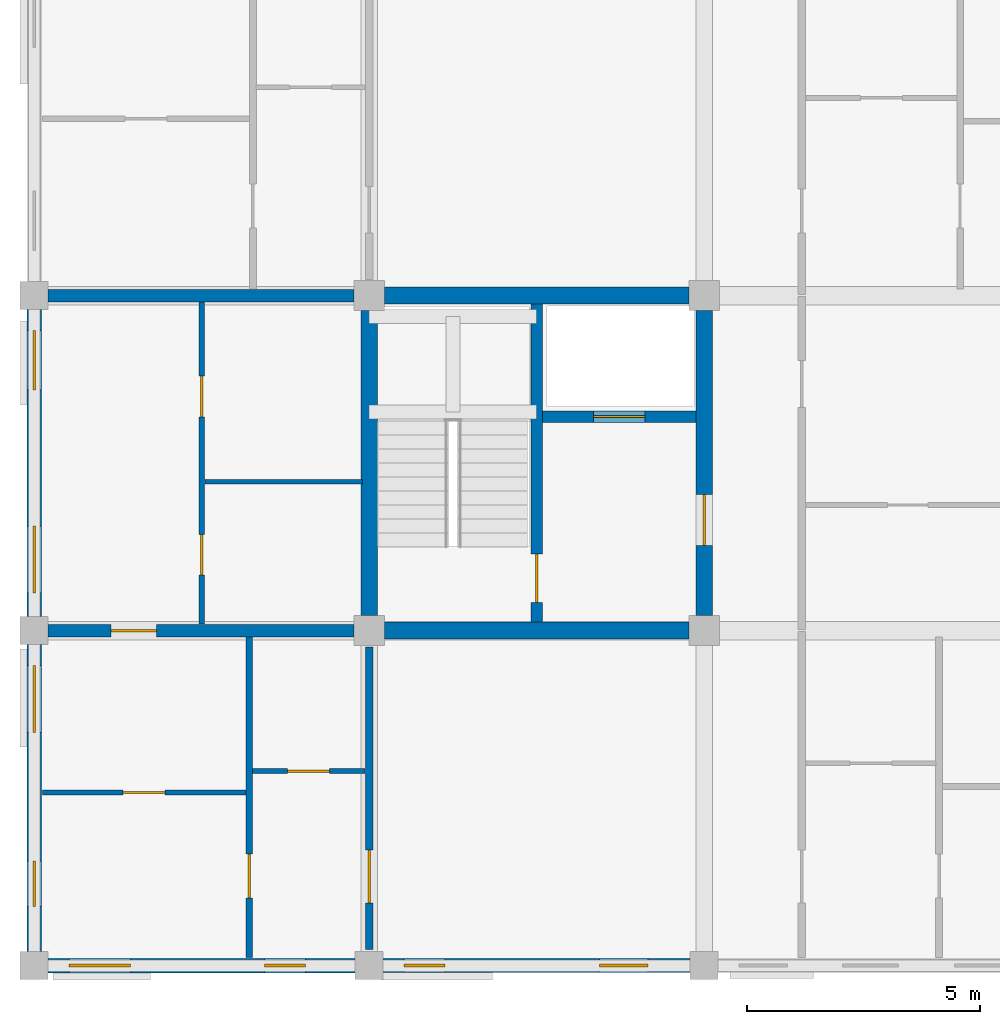
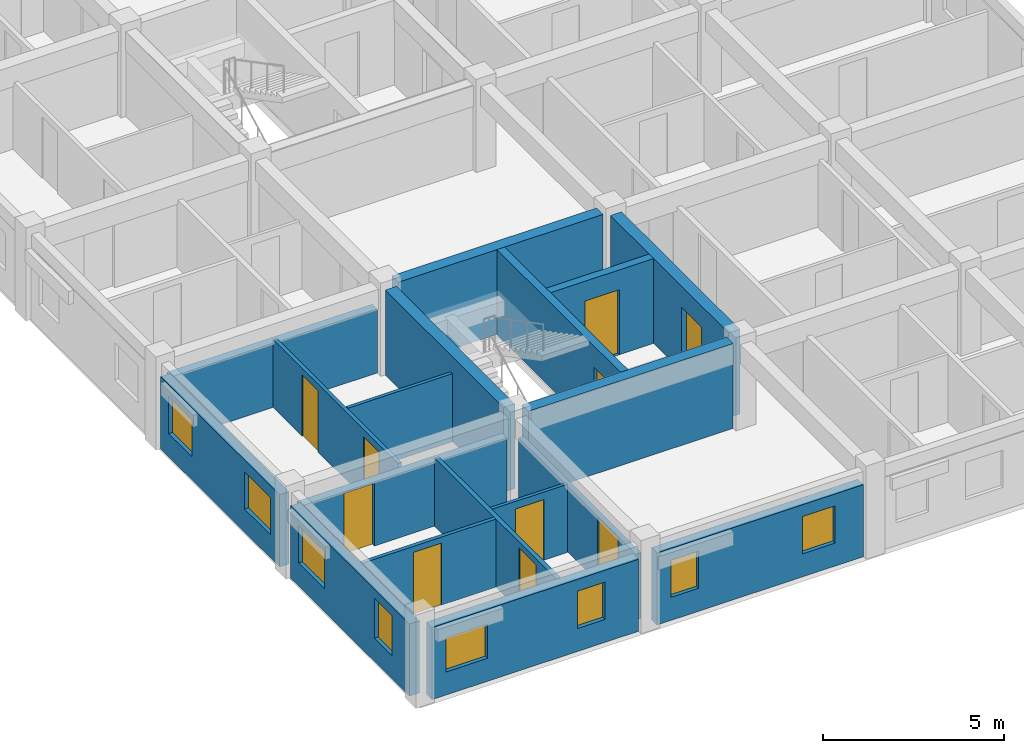
# One storey, part 13 of 50: 18 walls, 10 doors, 8 windows, 18 openings.
"""IFC4 building model written with IfcOpenShell, lengths in metres."""

import ifcopenshell
import ifcopenshell.guid

model = None  # the IFC model being written
_history = None  # IfcOwnerHistory: only IFC2X3 demands one
_inside = {}  # id of a spatial element -> (the spatial element, [elements in it])
_under = {}  # id of a project, library or spatial element -> (it, [spatial elements below it])
_declared = {}  # id of a project -> (the project, [libraries it declares])
_typed = {}  # id of a type object -> (the type object, [elements of that type])
_made_of = {}  # id of a material, layer set ... -> (it, [elements and type objects made of it])


def new_model(schema):
    """Start an empty IFC model of exactly this schema.

    Asked for "IFC4X3", IfcOpenShell would pick the latest addendum, in which some entities
    have other attributes; the version numbers below select the first issue.
    IFC2X3 requires an IfcOwnerHistory on every rooted entity: one is made here for all.
    """
    global model, _history
    if schema == "IFC4X3":
        model = ifcopenshell.file(schema_version=(4, 3, 0, 0))
    else:
        model = ifcopenshell.file(schema=schema)
    _inside.clear()
    _under.clear()
    _declared.clear()
    _typed.clear()
    _made_of.clear()
    _history = None
    if model.schema == "IFC2X3":
        org = make("IfcOrganization", Name="unknown")
        user = make(
            "IfcPersonAndOrganization",
            ThePerson=make("IfcPerson", FamilyName="unknown"),
            TheOrganization=org,
        )
        app = make(
            "IfcApplication",
            ApplicationDeveloper=org,
            Version="unknown",
            ApplicationFullName="unknown",
            ApplicationIdentifier="unknown",
        )
        _history = make(
            "IfcOwnerHistory",
            OwningUser=user,
            OwningApplication=app,
            ChangeAction="ADDED",
            CreationDate=0,
        )
    return model


def make(cls, **values):
    """One entity of the class cls with the attributes given. An attribute that is None is left unset."""
    return model.create_entity(
        cls, **{name: value for name, value in values.items() if value is not None}
    )


def rooted(cls, **values):
    """An entity with a GlobalId (a new one), such as an element, a storey or a relation."""
    return make(cls, GlobalId=ifcopenshell.guid.new(), OwnerHistory=_history, **values)


def si_unit(unit_type, name, prefix=None):
    """IfcSIUnit, for example si_unit("LENGTHUNIT", "METRE", prefix="MILLI")."""
    return make("IfcSIUnit", UnitType=unit_type, Prefix=prefix, Name=name)


def assignment(units):
    """IfcUnitAssignment: the units of a project."""
    return None if units is None else make("IfcUnitAssignment", Units=units)


def point(xyz):
    """IfcCartesianPoint."""
    return None if xyz is None else make("IfcCartesianPoint", Coordinates=xyz)


def direction(xyz):
    """IfcDirection."""
    return None if xyz is None else make("IfcDirection", DirectionRatios=xyz)


def frame(location, z_axis=None, x_axis=None):
    """IfcAxis2Placement3D, a coordinate frame: its origin and axes. An axis left out is left unset."""
    return make(
        "IfcAxis2Placement3D",
        Location=point(location),
        Axis=direction(z_axis),
        RefDirection=direction(x_axis),
    )


def frame_2d(location, x_axis=None):
    """IfcAxis2Placement2D, a coordinate frame in the plane: its origin and x axis."""
    return make(
        "IfcAxis2Placement2D", Location=point(location), RefDirection=direction(x_axis)
    )


def origin():
    """The frame at (0, 0, 0) with its axes left unset."""
    return frame((0.0, 0.0, 0.0))


def place(relative_to, where):
    """IfcLocalPlacement: puts the frame where relative to a parent placement (None: the world)."""
    return make(
        "IfcLocalPlacement", PlacementRelTo=relative_to, RelativePlacement=where
    )


def context(
    kind, dimensions, precision=None, world=None, true_north=None, identifier=None
):
    """IfcGeometricRepresentationContext, for example the 3D "Model" context."""
    return make(
        "IfcGeometricRepresentationContext",
        ContextIdentifier=identifier,
        ContextType=kind,
        CoordinateSpaceDimension=dimensions,
        Precision=precision,
        WorldCoordinateSystem=world,
        TrueNorth=true_north,
    )


def subcontext(parent, identifier, kind, view, scale=None):
    """IfcGeometricRepresentationSubContext, for example "Body" below "Model"."""
    return make(
        "IfcGeometricRepresentationSubContext",
        ContextIdentifier=identifier,
        ContextType=kind,
        ParentContext=parent,
        TargetScale=scale,
        TargetView=view,
    )


def project(units=None, contexts=None):
    """IfcProject with its units and contexts."""
    return rooted(
        "IfcProject",
        Name="project",
        RepresentationContexts=contexts,
        UnitsInContext=assignment(units),
    )


def spatial(cls, under=None, at=None, **own):
    """A site, building, storey or space (cls), placed at a placement, below another one or the project."""
    s = rooted(cls, ObjectPlacement=at, **own)
    if under is not None:
        _under.setdefault(under.id(), (under, []))[1].append(s)
    return s


def profile(cls, at=None, kind="AREA", **sizes):
    """A parametric profile (cls). Its sizes go by their IFC names, for example OverallWidth=200.0."""
    return make(cls, ProfileType=kind, Position=at, **sizes)


def rectangle(**sizes):
    """IfcRectangleProfileDef."""
    return profile("IfcRectangleProfileDef", **sizes)


def extrude(swept, where, along, depth):
    """IfcExtrudedAreaSolid: the profile swept, set in the frame where, extruded along a direction by depth."""
    return make(
        "IfcExtrudedAreaSolid",
        SweptArea=swept,
        Position=where,
        ExtrudedDirection=direction(along),
        Depth=depth,
    )


def shape(context_of_items, identifier, shape_type, items):
    """IfcShapeRepresentation: the items that make up one representation, for example the "Body"."""
    return make(
        "IfcShapeRepresentation",
        ContextOfItems=context_of_items,
        RepresentationIdentifier=identifier,
        RepresentationType=shape_type,
        Items=items,
    )


def material(Name=None, Category=None):
    """IfcMaterial."""
    return make("IfcMaterial", Name=Name, Category=Category)


def layer(
    of_material, thickness, ventilated=None, Name=None, Category=None, Priority=None
):
    """IfcMaterialLayer: one layer of a wall or slab, of a material (None: an air gap)."""
    return make(
        "IfcMaterialLayer",
        Material=of_material,
        LayerThickness=thickness,
        IsVentilated=ventilated,
        Name=Name,
        Category=Category,
        Priority=Priority,
    )


def layer_set(layers, Name=None):
    """IfcMaterialLayerSet."""
    return make("IfcMaterialLayerSet", MaterialLayers=layers, LayerSetName=Name)


def made_of(thing, what):
    """Note that an element or type object is made of a material, layer set ...; save() writes the relation."""
    if what is not None:
        _made_of.setdefault(what.id(), (what, []))[1].append(thing)
    return thing


def type_object(cls, material=None, **own):
    """A type object (cls), such as IfcWallType, which elements share."""
    return made_of(rooted(cls, **own), material)


def element(
    cls,
    number,
    at=None,
    inside=None,
    cuts=None,
    type_object=None,
    material=None,
    context=None,
    identifier="Body",
    shape_type=None,
    held_by="IfcProductDefinitionShape",
    body=None,
    shapes=None,
    **own,
):
    """One element of the class cls, such as IfcWall. Its Tag is "e" and its number.

    at: its placement. inside: the storey or other place that contains it. cuts: it is an
    opening in that element (IfcRelVoidsElement). A single representation is given by context,
    identifier, shape_type and body (its items); several are given by shapes. held_by: the class
    of the entity that holds the representations. save() writes the other relations.
    """
    e = rooted(cls, Tag="e%d" % number, ObjectPlacement=at, **own)
    if body is not None:
        shapes = [shape(context, identifier, shape_type, body)]
    if shapes is not None:
        e.Representation = make(held_by, Representations=shapes)
    if inside is not None:
        _inside.setdefault(inside.id(), (inside, []))[1].append(e)
    if cuts is not None:
        rooted(
            "IfcRelVoidsElement", RelatingBuildingElement=cuts, RelatedOpeningElement=e
        )
    if type_object is not None:
        _typed.setdefault(type_object.id(), (type_object, []))[1].append(e)
    return made_of(e, material)


def fill(opening, filler):
    """IfcRelFillsElement: the door or window that sits in an opening."""
    return rooted(
        "IfcRelFillsElement",
        RelatingOpeningElement=opening,
        RelatedBuildingElement=filler,
    )


def aggregate(whole, parts):
    """IfcRelAggregates: a whole, such as a stair, and the parts it consists of."""
    return rooted("IfcRelAggregates", RelatingObject=whole, RelatedObjects=parts)


def save(model, path):
    """Write the relations noted so far, then the file.

    IfcRelAggregates (storeys below a building ...), IfcRelContainedInSpatialStructure (elements
    in a storey), IfcRelDefinesByType, IfcRelAssociatesMaterial and IfcRelDeclares: one each for
    every whole, place, type object, material and project.
    """
    for whole, parts in _under.values():
        aggregate(whole, parts)
    for where, things in _inside.values():
        rooted(
            "IfcRelContainedInSpatialStructure",
            RelatedElements=things,
            RelatingStructure=where,
        )
    for kind, things in _typed.values():
        rooted("IfcRelDefinesByType", RelatedObjects=things, RelatingType=kind)
    for what, things in _made_of.values():
        rooted("IfcRelAssociatesMaterial", RelatedObjects=things, RelatingMaterial=what)
    for by, libraries in _declared.values():
        rooted("IfcRelDeclares", RelatingContext=by, RelatedDefinitions=libraries)
    model.write(path)


model = new_model("IFC4")

# Units and contexts
model_context = context("Model", 3, precision=1e-05, world=origin(), true_north=direction((0.0, 1.0)))
body_context = subcontext(model_context, "Body", "Model", "MODEL_VIEW")
ifc_project = project(units=[si_unit("LENGTHUNIT", "METRE"), si_unit("AREAUNIT", "SQUARE_METRE"), si_unit("VOLUMEUNIT", "CUBIC_METRE"), si_unit("PLANEANGLEUNIT", "RADIAN"), si_unit("MASSUNIT", "GRAM", prefix="KILO"), si_unit("THERMODYNAMICTEMPERATUREUNIT", "KELVIN"), si_unit("POWERUNIT", "WATT")], contexts=[model_context])

# Site, building, storey
site_placement = place(None, origin())
site = spatial("IfcSite", under=ifc_project, at=site_placement, CompositionType="ELEMENT")
building_placement = place(site_placement, origin())
building = spatial("IfcBuilding", under=site, at=building_placement, Name="Tavuni Mirador Residences", CompositionType="ELEMENT")
storey_placement = place(building_placement, frame((0.0, 0.0, 4.5)))
storey = spatial("IfcBuildingStorey", under=building, at=storey_placement, Name="L01", CompositionType="ELEMENT", Elevation=4.5)

# Wall, opening, door
ifc_material_1 = material(Name="Precast concrete C40/50", Category="concrete")
ifc_layer_1 = layer(ifc_material_1, 0.25, Name="Precast concrete C40/50", Category="concrete")
ifc_layer_set_1 = layer_set([ifc_layer_1], Name="Precast concrete C40/50")
wall_type_1 = type_object("IfcWallType", Name="WT-COR250", PredefinedType="SHEAR", material=ifc_layer_set_1)
wall_1_placement = place(storey_placement, frame((14.39990234375, 14.580078125, 0.0), z_axis=(0.0, 0.0, 1.0), x_axis=(0.0, 1.0, 0.0)))
wall_1 = element("IfcWall", 1, at=wall_1_placement, inside=storey, type_object=wall_type_1, Name="CWALL-C1-L01-MID", PredefinedType="SHEAR", context=body_context, shape_type="SweptSolid", body=[
    extrude(rectangle(XDim=6.83984375, YDim=0.25, at=frame_2d((3.419921875, 0.0))), origin(), (0.0, 0.0, 1.0), 2.8701171875),
])
opening_1_placement = place(wall_1_placement, frame((0.419921875, 0.0, 0.0)))
opening_1 = element("IfcOpeningElement", 2, at=opening_1_placement, cuts=wall_1, Name="Opening D-01", PredefinedType="OPENING", context=body_context, shape_type="SweptSolid", body=[
    extrude(rectangle(XDim=1.050048828125, YDim=2.14990234375, at=frame_2d((0.52490234375, 1.074951171875))), frame((0.0, 0.135009765625, 0.0), z_axis=(0.0, -1.0, 0.0), x_axis=(1.0, 0.0, 0.0)), (0.0, 0.0, 1.0), 0.27001953125),
])
ifc_material_2 = material(Name="Solid core iroko timber", Category="wood")
door_type_1 = type_object("IfcDoorType", Name="DT-ST1050", OperationType="NOTDEFINED", PredefinedType="DOOR", material=ifc_material_2)
door_1_placement = place(opening_1_placement, origin())
door_1 = element("IfcDoor", 3, at=door_1_placement, inside=storey, type_object=door_type_1, Name="DR-2010", OperationType="SINGLE_SWING_RIGHT", OverallHeight=2.14990234375, OverallWidth=1.050048828125, PredefinedType="DOOR", context=body_context, shape_type="SweptSolid", body=[
    extrude(rectangle(XDim=1.050048828125, YDim=2.14990234375, at=frame_2d((0.52490234375, 1.074951171875))), frame((0.0, 0.02490234375, 0.0), z_axis=(0.0, -1.0, 0.0), x_axis=(1.0, 0.0, 0.0)), (0.0, 0.0, 1.0), 0.050048828125),
])
fill(opening_1, door_1)

wall_2_placement = place(storey_placement, frame((14.52490234375, 19.0, 0.0), z_axis=(0.0, 0.0, 1.0), x_axis=(1.0, 0.0, 0.0)))
wall_2 = element("IfcWall", 4, at=wall_2_placement, inside=storey, type_object=wall_type_1, Name="CWALL-C1-L01-SHF", PredefinedType="SHEAR", context=body_context, shape_type="SweptSolid", body=[
    extrude(rectangle(XDim=3.295166015625, YDim=0.25, at=frame_2d((1.6474609375, 0.0))), origin(), (0.0, 0.0, 1.0), 2.8701171875),
])
opening_2_placement = place(wall_2_placement, frame((1.10009765625, 0.0, 0.0)))
opening_2 = element("IfcOpeningElement", 5, at=opening_2_placement, cuts=wall_2, Name="Opening LD-01", PredefinedType="OPENING", context=body_context, shape_type="SweptSolid", body=[
    extrude(rectangle(XDim=1.10009765625, YDim=2.199951171875, at=frame_2d((0.550048828125, 1.10009765625))), frame((0.0, 0.135009765625, 0.0), z_axis=(0.0, -1.0, 0.0), x_axis=(1.0, 0.0, 0.0)), (0.0, 0.0, 1.0), 0.27001953125),
])
ifc_material_3 = material(Name="Structural steel S355", Category="steel")
door_type_2 = type_object("IfcDoorType", Name="DT-LD-FF", OperationType="SLIDING_TO_LEFT", PredefinedType="DOOR", material=ifc_material_3)
door_2_placement = place(opening_2_placement, origin())
door_2 = element("IfcDoor", 6, at=door_2_placement, inside=storey, type_object=door_type_2, Name="Lift landing door FL-A1 L01", OperationType="SLIDING_TO_LEFT", OverallHeight=2.199951171875, OverallWidth=1.10009765625, PredefinedType="DOOR", context=body_context, shape_type="SweptSolid", body=[
    extrude(rectangle(XDim=1.10009765625, YDim=2.199951171875, at=frame_2d((0.550048828125, 1.10009765625))), frame((0.0, 0.02490234375, 0.0), z_axis=(0.0, -1.0, 0.0), x_axis=(1.0, 0.0, 0.0)), (0.0, 0.0, 1.0), 0.050048828125),
])
fill(opening_2, door_2)

# Walls
ifc_layer_2 = layer(ifc_material_1, 0.360107421875, Name="Precast concrete C40/50", Category="concrete")
ifc_layer_set_2 = layer_set([ifc_layer_2], Name="Precast concrete C40/50")
wall_type_2 = type_object("IfcWallType", Name="WT-COR360", PredefinedType="SHEAR", material=ifc_layer_set_2)
wall_3_placement = place(storey_placement, frame((10.800048828125, 14.72509765625, 0.0), z_axis=(0.0, 0.0, 1.0), x_axis=(0.0, 1.0, 0.0)))
element("IfcWall", 7, at=wall_3_placement, inside=storey, type_object=wall_type_2, Name="CWALL-C1-L01-W", PredefinedType="SHEAR", context=body_context, shape_type="SweptSolid", body=[
    extrude(rectangle(XDim=6.5498046875, YDim=0.360107421875, at=frame_2d((3.27490234375, 0.0))), origin(), (0.0, 0.0, 1.0), 2.8701171875),
])
wall_4_placement = place(storey_placement, frame((11.125, 21.60009765625, 0.0), z_axis=(0.0, 0.0, 1.0), x_axis=(1.0, 0.0, 0.0)))
element("IfcWall", 8, at=wall_4_placement, inside=storey, type_object=wall_type_2, Name="CWALL-C1-L01-N", PredefinedType="SHEAR", context=body_context, shape_type="SweptSolid", body=[
    extrude(rectangle(XDim=6.550048828125, YDim=0.360107421875, at=frame_2d((3.27490234375, 0.0))), origin(), (0.0, 0.0, 1.0), 2.8701171875),
])

# Wall, opening, door
wall_5_placement = place(storey_placement, frame((18.0, 14.72509765625, 0.0), z_axis=(0.0, 0.0, 1.0), x_axis=(0.0, 1.0, 0.0)))
wall_5 = element("IfcWall", 9, at=wall_5_placement, inside=storey, type_object=wall_type_2, Name="CWALL-C1-L01-E", PredefinedType="SHEAR", context=body_context, shape_type="SweptSolid", body=[
    extrude(rectangle(XDim=6.5498046875, YDim=0.360107421875, at=frame_2d((3.27490234375, 0.0))), origin(), (0.0, 0.0, 1.0), 2.8701171875),
])
opening_3_placement = place(wall_5_placement, frame((1.5, 0.0, 0.0)))
opening_3 = element("IfcOpeningElement", 10, at=opening_3_placement, cuts=wall_5, Name="Opening D-02", PredefinedType="OPENING", context=body_context, shape_type="SweptSolid", body=[
    extrude(rectangle(XDim=1.10009765625, YDim=2.14990234375, at=frame_2d((0.550048828125, 1.074951171875))), frame((0.0, 0.18994140625, 0.0), z_axis=(0.0, -1.0, 0.0), x_axis=(1.0, 0.0, 0.0)), (0.0, 0.0, 1.0), 0.380126953125),
])
door_type_3 = type_object("IfcDoorType", Name="DT-LOB1100", OperationType="NOTDEFINED", PredefinedType="DOOR", material=ifc_material_2)
door_3_placement = place(opening_3_placement, frame((1.10009765625, 0.0, 0.0), z_axis=(0.0, 0.0, 1.0), x_axis=(-1.0, 0.0, 0.0)))
door_3 = element("IfcDoor", 11, at=door_3_placement, inside=storey, type_object=door_type_3, Name="DR-2009", OperationType="SINGLE_SWING_RIGHT", OverallHeight=2.14990234375, OverallWidth=1.10009765625, PredefinedType="DOOR", context=body_context, shape_type="SweptSolid", body=[
    extrude(rectangle(XDim=1.10009765625, YDim=2.14990234375, at=frame_2d((0.550048828125, 1.074951171875))), frame((0.0, 0.02490234375, 0.0), z_axis=(0.0, -1.0, 0.0), x_axis=(1.0, 0.0, 0.0)), (0.0, 0.0, 1.0), 0.050048828125),
])
fill(opening_3, door_3)

# Wall
wall_6_placement = place(storey_placement, frame((11.125, 14.39990234375, 0.0), z_axis=(0.0, 0.0, 1.0), x_axis=(1.0, 0.0, 0.0)))
element("IfcWall", 12, at=wall_6_placement, inside=storey, type_object=wall_type_2, Name="CWALL-C1-L01-SS", PredefinedType="SHEAR", context=body_context, shape_type="SweptSolid", body=[
    extrude(rectangle(XDim=6.550048828125, YDim=0.360107421875, at=frame_2d((3.27490234375, 0.0))), origin(), (0.0, 0.0, 1.0), 2.8701171875),
])

# Wall, opening, door
ifc_layer_3 = layer(ifc_material_1, 0.1650390625, Name="Precast concrete C40/50", Category="concrete")
ifc_layer_set_3 = layer_set([ifc_layer_3], Name="Precast concrete C40/50")
wall_type_3 = type_object("IfcWallType", Name="WT-CORR165", PredefinedType="PARTITIONING", material=ifc_layer_set_3)
wall_7_placement = place(storey_placement, frame((10.800048828125, 7.550048828125, 0.0), z_axis=(0.0, 0.0, 1.0), x_axis=(0.0, 1.0, 0.0)))
wall_7 = element("IfcWall", 13, at=wall_7_placement, inside=storey, type_object=wall_type_3, Name="CORW-BLK-A-L01-1-00", PredefinedType="PARTITIONING", context=body_context, shape_type="SweptSolid", body=[
    extrude(rectangle(XDim=6.5, YDim=0.1650390625, at=frame_2d((3.25, 0.0))), origin(), (0.0, 0.0, 1.0), 2.219970703125),
])
opening_4_placement = place(wall_7_placement, frame((1.0, 0.0, 0.0)))
opening_4 = element("IfcOpeningElement", 14, at=opening_4_placement, cuts=wall_7, Name="Opening D-20", PredefinedType="OPENING", context=body_context, shape_type="SweptSolid", body=[
    extrude(rectangle(XDim=1.139892578125, YDim=2.179931640625, at=frame_2d((0.56982421875, 1.08984375))), frame((0.0, 0.092529296875, 0.0), z_axis=(0.0, -1.0, 0.0), x_axis=(1.0, 0.0, 0.0)), (0.0, 0.0, 1.0), 0.18505859375),
])
door_type_4 = type_object("IfcDoorType", Name="DT-FD60-1140", OperationType="NOTDEFINED", PredefinedType="DOOR", material=ifc_material_2)
door_4_placement = place(opening_4_placement, origin())
door_4 = element("IfcDoor", 15, at=door_4_placement, inside=storey, type_object=door_type_4, Name="DR-2399", OperationType="SINGLE_SWING_RIGHT", OverallHeight=2.179931640625, OverallWidth=1.139892578125, PredefinedType="DOOR", context=body_context, shape_type="SweptSolid", body=[
    extrude(rectangle(XDim=1.139892578125, YDim=2.179931640625, at=frame_2d((0.56982421875, 1.08984375))), frame((0.0, 0.02490234375, 0.0), z_axis=(0.0, -1.0, 0.0), x_axis=(1.0, 0.0, 0.0)), (0.0, 0.0, 1.0), 0.050048828125),
])
fill(opening_4, door_4)

# Wall, openings, windows
ifc_material_4 = material(Name="Sgraffito lime-rendered precast concrete C40/50", Category="concrete")
ifc_layer_4 = layer(ifc_material_4, 0.304931640625, Name="Sgraffito lime-rendered precast concrete C40/50", Category="concrete")
ifc_layer_set_4 = layer_set([ifc_layer_4], Name="Sgraffito lime-rendered precast concrete C40/50")
wall_type_4 = type_object("IfcWallType", Name="WT-EXT-PC305", PredefinedType="SOLIDWALL", material=ifc_layer_set_4)
wall_8_placement = place(storey_placement, frame((11.10009765625, 7.199951171875, 0.0), z_axis=(0.0, 0.0, 1.0), x_axis=(1.0, 0.0, 0.0)))
wall_8 = element("IfcWall", 16, at=wall_8_placement, inside=storey, type_object=wall_type_4, Name="EW-BLK-A-L01-S01", PredefinedType="SOLIDWALL", context=body_context, shape_type="SweptSolid", body=[
    extrude(rectangle(XDim=6.599853515625, YDim=0.304931640625, at=frame_2d((3.2998046875, 0.0))), origin(), (0.0, 0.0, 1.0), 2.43994140625),
])
opening_5_placement = place(wall_8_placement, frame((0.449951171875, 0.0, 0.780029296875)))
opening_5 = element("IfcOpeningElement", 17, at=opening_5_placement, cuts=wall_8, Name="Opening WN-09", PredefinedType="OPENING", context=body_context, shape_type="SweptSolid", body=[
    extrude(rectangle(XDim=0.8798828125, YDim=1.260009765625, at=frame_2d((0.43994140625, 0.6298828125))), frame((0.0, 0.16259765625, 0.0), z_axis=(0.0, -1.0, 0.0), x_axis=(1.0, 0.0, 0.0)), (0.0, 0.0, 1.0), 0.324951171875),
])
opening_6_placement = place(wall_8_placement, frame((4.64990234375, 0.0, 0.780029296875)))
opening_6 = element("IfcOpeningElement", 18, at=opening_6_placement, cuts=wall_8, Name="Opening WN-11", PredefinedType="OPENING", context=body_context, shape_type="SweptSolid", body=[
    extrude(rectangle(XDim=1.0400390625, YDim=1.260009765625, at=frame_2d((0.52001953125, 0.6298828125))), frame((0.0, 0.16259765625, 0.0), z_axis=(0.0, -1.0, 0.0), x_axis=(1.0, 0.0, 0.0)), (0.0, 0.0, 1.0), 0.324951171875),
])
ifc_material_5 = material(Name="Laminated solar-control glass", Category="glass")
window_type_1 = type_object("IfcWindowType", Name="WNT-09", PartitioningType="SINGLE_PANEL", PredefinedType="WINDOW", material=ifc_material_5)
window_1_placement = place(opening_5_placement, origin())
window_1 = element("IfcWindow", 19, at=window_1_placement, inside=storey, type_object=window_type_1, Name="WIN-0037", OverallHeight=1.260009765625, OverallWidth=0.8798828125, PartitioningType="SINGLE_PANEL", PredefinedType="WINDOW", context=body_context, shape_type="SweptSolid", body=[
    extrude(rectangle(XDim=0.8798828125, YDim=1.260009765625, at=frame_2d((0.43994140625, 0.6298828125))), frame((0.0, 0.030029296875, 0.0), z_axis=(0.0, -1.0, 0.0), x_axis=(1.0, 0.0, 0.0)), (0.0, 0.0, 1.0), 0.06005859375),
])
fill(opening_5, window_1)
window_type_2 = type_object("IfcWindowType", Name="WNT-11", PartitioningType="SINGLE_PANEL", PredefinedType="WINDOW", material=ifc_material_5)
window_2_placement = place(opening_6_placement, origin())
window_2 = element("IfcWindow", 20, at=window_2_placement, inside=storey, type_object=window_type_2, Name="WIN-0038", OverallHeight=1.260009765625, OverallWidth=1.0400390625, PartitioningType="SINGLE_PANEL", PredefinedType="WINDOW", context=body_context, shape_type="SweptSolid", body=[
    extrude(rectangle(XDim=1.0400390625, YDim=1.260009765625, at=frame_2d((0.52001953125, 0.6298828125))), frame((0.0, 0.030029296875, 0.0), z_axis=(0.0, -1.0, 0.0), x_axis=(1.0, 0.0, 0.0)), (0.0, 0.0, 1.0), 0.06005859375),
])
fill(opening_6, window_2)

wall_9_placement = place(storey_placement, frame((3.60009765625, 21.300048828125, 0.0), z_axis=(0.0, 0.0, 1.0), x_axis=(0.0, -1.0, 0.0)))
wall_9 = element("IfcWall", 21, at=wall_9_placement, inside=storey, type_object=wall_type_4, Name="EW-BLK-A-L01-W01", PredefinedType="SOLIDWALL", context=body_context, shape_type="SweptSolid", body=[
    extrude(rectangle(XDim=6.60009765625, YDim=0.304931640625, at=frame_2d((3.300048828125, 0.0))), origin(), (0.0, 0.0, 1.0), 2.43994140625),
])
opening_7_placement = place(wall_9_placement, frame((0.449951171875, 0.0, 0.780029296875)))
opening_7 = element("IfcOpeningElement", 22, at=opening_7_placement, cuts=wall_9, Name="Opening WN-14", PredefinedType="OPENING", context=body_context, shape_type="SweptSolid", body=[
    extrude(rectangle(XDim=1.280029296875, YDim=1.260009765625, at=frame_2d((0.64013671875, 0.6298828125))), frame((0.0, 0.16259765625, 0.0), z_axis=(0.0, -1.0, 0.0), x_axis=(1.0, 0.0, 0.0)), (0.0, 0.0, 1.0), 0.324951171875),
])
opening_8_placement = place(wall_9_placement, frame((4.64990234375, 0.0, 0.780029296875)))
opening_8 = element("IfcOpeningElement", 23, at=opening_8_placement, cuts=wall_9, Name="Opening WN-16", PredefinedType="OPENING", context=body_context, shape_type="SweptSolid", body=[
    extrude(rectangle(XDim=1.43994140625, YDim=1.260009765625, at=frame_2d((0.719970703125, 0.6298828125))), frame((0.0, 0.16259765625, 0.0), z_axis=(0.0, -1.0, 0.0), x_axis=(1.0, 0.0, 0.0)), (0.0, 0.0, 1.0), 0.324951171875),
])
window_type_3 = type_object("IfcWindowType", Name="WNT-14", PartitioningType="SINGLE_PANEL", PredefinedType="WINDOW", material=ifc_material_5)
window_3_placement = place(opening_7_placement, origin())
window_3 = element("IfcWindow", 24, at=window_3_placement, inside=storey, type_object=window_type_3, Name="WIN-0072", OverallHeight=1.260009765625, OverallWidth=1.280029296875, PartitioningType="SINGLE_PANEL", PredefinedType="WINDOW", context=body_context, shape_type="SweptSolid", body=[
    extrude(rectangle(XDim=1.280029296875, YDim=1.260009765625, at=frame_2d((0.64013671875, 0.6298828125))), frame((0.0, 0.030029296875, 0.0), z_axis=(0.0, -1.0, 0.0), x_axis=(1.0, 0.0, 0.0)), (0.0, 0.0, 1.0), 0.06005859375),
])
fill(opening_7, window_3)
window_type_4 = type_object("IfcWindowType", Name="WNT-16", PartitioningType="SINGLE_PANEL", PredefinedType="WINDOW", material=ifc_material_5)
window_4_placement = place(opening_8_placement, origin())
window_4 = element("IfcWindow", 25, at=window_4_placement, inside=storey, type_object=window_type_4, Name="WIN-0073", OverallHeight=1.260009765625, OverallWidth=1.43994140625, PartitioningType="SINGLE_PANEL", PredefinedType="WINDOW", context=body_context, shape_type="SweptSolid", body=[
    extrude(rectangle(XDim=1.43994140625, YDim=1.260009765625, at=frame_2d((0.719970703125, 0.6298828125))), frame((0.0, 0.030029296875, 0.0), z_axis=(0.0, -1.0, 0.0), x_axis=(1.0, 0.0, 0.0)), (0.0, 0.0, 1.0), 0.06005859375),
])
fill(opening_8, window_4)

ifc_layer_5 = layer(ifc_material_4, 0.31494140625, Name="Sgraffito lime-rendered precast concrete C40/50", Category="concrete")
ifc_layer_set_5 = layer_set([ifc_layer_5], Name="Sgraffito lime-rendered precast concrete C40/50")
wall_type_5 = type_object("IfcWallType", Name="WT-EXT-PC315", PredefinedType="SOLIDWALL", material=ifc_layer_set_5)
wall_10_placement = place(storey_placement, frame((3.89990234375, 7.199951171875, 0.0), z_axis=(0.0, 0.0, 1.0), x_axis=(1.0, 0.0, 0.0)))
wall_10 = element("IfcWall", 26, at=wall_10_placement, inside=storey, type_object=wall_type_5, Name="EW-BLK-A-L01-S00", PredefinedType="SOLIDWALL", context=body_context, shape_type="SweptSolid", body=[
    extrude(rectangle(XDim=6.60009765625, YDim=0.31494140625, at=frame_2d((3.300048828125, 0.0))), origin(), (0.0, 0.0, 1.0), 2.43994140625),
])
opening_9_placement = place(wall_10_placement, frame((0.449951171875, 0.0, 0.780029296875)))
opening_9 = element("IfcOpeningElement", 27, at=opening_9_placement, cuts=wall_10, Name="Opening WN-07", PredefinedType="OPENING", context=body_context, shape_type="SweptSolid", body=[
    extrude(rectangle(XDim=1.320068359375, YDim=1.14990234375, at=frame_2d((0.66015625, 0.574951171875))), frame((0.0, 0.16748046875, 0.0), z_axis=(0.0, -1.0, 0.0), x_axis=(1.0, 0.0, 0.0)), (0.0, 0.0, 1.0), 0.3349609375),
])
opening_10_placement = place(wall_10_placement, frame((4.64990234375, 0.0, 0.780029296875)))
opening_10 = element("IfcOpeningElement", 28, at=opening_10_placement, cuts=wall_10, Name="Opening WN-09", PredefinedType="OPENING", context=body_context, shape_type="SweptSolid", body=[
    extrude(rectangle(XDim=0.8798828125, YDim=1.260009765625, at=frame_2d((0.43994140625, 0.6298828125))), frame((0.0, 0.16748046875, 0.0), z_axis=(0.0, -1.0, 0.0), x_axis=(1.0, 0.0, 0.0)), (0.0, 0.0, 1.0), 0.3349609375),
])
window_type_5 = type_object("IfcWindowType", Name="WNT-07", PartitioningType="SINGLE_PANEL", PredefinedType="WINDOW", material=ifc_material_5)
window_5_placement = place(opening_9_placement, origin())
window_5 = element("IfcWindow", 29, at=window_5_placement, inside=storey, type_object=window_type_5, Name="WIN-0035", OverallHeight=1.14990234375, OverallWidth=1.320068359375, PartitioningType="SINGLE_PANEL", PredefinedType="WINDOW", context=body_context, shape_type="SweptSolid", body=[
    extrude(rectangle(XDim=1.320068359375, YDim=1.14990234375, at=frame_2d((0.66015625, 0.574951171875))), frame((0.0, 0.030029296875, 0.0), z_axis=(0.0, -1.0, 0.0), x_axis=(1.0, 0.0, 0.0)), (0.0, 0.0, 1.0), 0.06005859375),
])
fill(opening_9, window_5)
window_6_placement = place(opening_10_placement, origin())
window_6 = element("IfcWindow", 30, at=window_6_placement, inside=storey, type_object=window_type_1, Name="WIN-0036", OverallHeight=1.260009765625, OverallWidth=0.8798828125, PartitioningType="SINGLE_PANEL", PredefinedType="WINDOW", context=body_context, shape_type="SweptSolid", body=[
    extrude(rectangle(XDim=0.8798828125, YDim=1.260009765625, at=frame_2d((0.43994140625, 0.6298828125))), frame((0.0, 0.030029296875, 0.0), z_axis=(0.0, -1.0, 0.0), x_axis=(1.0, 0.0, 0.0)), (0.0, 0.0, 1.0), 0.06005859375),
])
fill(opening_10, window_6)

wall_11_placement = place(storey_placement, frame((3.60009765625, 14.10009765625, 0.0), z_axis=(0.0, 0.0, 1.0), x_axis=(0.0, -1.0, 0.0)))
wall_11 = element("IfcWall", 31, at=wall_11_placement, inside=storey, type_object=wall_type_5, Name="EW-BLK-A-L01-W00", PredefinedType="SOLIDWALL", context=body_context, shape_type="SweptSolid", body=[
    extrude(rectangle(XDim=6.60009765625, YDim=0.31494140625, at=frame_2d((3.300048828125, 0.0))), origin(), (0.0, 0.0, 1.0), 2.43994140625),
])
opening_11_placement = place(wall_11_placement, frame((0.449951171875, 0.0, 0.780029296875)))
opening_11 = element("IfcOpeningElement", 32, at=opening_11_placement, cuts=wall_11, Name="Opening WN-16", PredefinedType="OPENING", context=body_context, shape_type="SweptSolid", body=[
    extrude(rectangle(XDim=1.43994140625, YDim=1.260009765625, at=frame_2d((0.719970703125, 0.6298828125))), frame((0.0, 0.16748046875, 0.0), z_axis=(0.0, -1.0, 0.0), x_axis=(1.0, 0.0, 0.0)), (0.0, 0.0, 1.0), 0.3349609375),
])
opening_12_placement = place(wall_11_placement, frame((4.64990234375, 0.0, 0.780029296875)))
opening_12 = element("IfcOpeningElement", 33, at=opening_12_placement, cuts=wall_11, Name="Opening WN-18", PredefinedType="OPENING", context=body_context, shape_type="SweptSolid", body=[
    extrude(rectangle(XDim=0.97998046875, YDim=1.360107421875, at=frame_2d((0.489990234375, 0.68017578125))), frame((0.0, 0.16748046875, 0.0), z_axis=(0.0, -1.0, 0.0), x_axis=(1.0, 0.0, 0.0)), (0.0, 0.0, 1.0), 0.3349609375),
])
window_7_placement = place(opening_11_placement, origin())
window_7 = element("IfcWindow", 34, at=window_7_placement, inside=storey, type_object=window_type_4, Name="WIN-0074", OverallHeight=1.260009765625, OverallWidth=1.43994140625, PartitioningType="SINGLE_PANEL", PredefinedType="WINDOW", context=body_context, shape_type="SweptSolid", body=[
    extrude(rectangle(XDim=1.43994140625, YDim=1.260009765625, at=frame_2d((0.719970703125, 0.6298828125))), frame((0.0, 0.030029296875, 0.0), z_axis=(0.0, -1.0, 0.0), x_axis=(1.0, 0.0, 0.0)), (0.0, 0.0, 1.0), 0.06005859375),
])
fill(opening_11, window_7)
window_type_6 = type_object("IfcWindowType", Name="WNT-18", PartitioningType="SINGLE_PANEL", PredefinedType="WINDOW", material=ifc_material_5)
window_8_placement = place(opening_12_placement, origin())
window_8 = element("IfcWindow", 35, at=window_8_placement, inside=storey, type_object=window_type_6, Name="WIN-0075", OverallHeight=1.360107421875, OverallWidth=0.97998046875, PartitioningType="SINGLE_PANEL", PredefinedType="WINDOW", context=body_context, shape_type="SweptSolid", body=[
    extrude(rectangle(XDim=0.97998046875, YDim=1.360107421875, at=frame_2d((0.489990234375, 0.68017578125))), frame((0.0, 0.030029296875, 0.0), z_axis=(0.0, -1.0, 0.0), x_axis=(1.0, 0.0, 0.0)), (0.0, 0.0, 1.0), 0.06005859375),
])
fill(opening_12, window_8)

# Wall, opening, door
ifc_material_6 = material(Name="Acoustic gypsum and concrete block partition", Category="concrete")
ifc_layer_6 = layer(ifc_material_6, 0.10498046875, Name="Acoustic gypsum and concrete block partition", Category="concrete")
ifc_layer_set_6 = layer_set([ifc_layer_6], Name="Acoustic gypsum and concrete block partition")
wall_type_6 = type_object("IfcWallType", Name="WT-PART105", PredefinedType="PARTITIONING", material=ifc_layer_set_6)
wall_12_placement = place(storey_placement, frame((8.2900390625, 11.3798828125, 0.0), z_axis=(0.0, 0.0, 1.0), x_axis=(1.0, 0.0, 0.0)))
wall_12 = element("IfcWall", 36, at=wall_12_placement, inside=storey, type_object=wall_type_6, Name="PW-BLK-A-L01-W00-IN1", PredefinedType="PARTITIONING", context=body_context, shape_type="SweptSolid", body=[
    extrude(rectangle(XDim=2.419921875, YDim=0.10498046875, at=frame_2d((1.2099609375, 0.0))), origin(), (0.0, 0.0, 1.0), 2.304931640625),
])
opening_13_placement = place(wall_12_placement, frame((0.760009765625, 0.0, 0.0)))
opening_13 = element("IfcOpeningElement", 37, at=opening_13_placement, cuts=wall_12, Name="Opening D-09", PredefinedType="OPENING", context=body_context, shape_type="SweptSolid", body=[
    extrude(rectangle(XDim=0.89990234375, YDim=2.050048828125, at=frame_2d((0.449951171875, 1.02490234375))), frame((0.0, 0.0625, 0.0), z_axis=(0.0, -1.0, 0.0), x_axis=(1.0, 0.0, 0.0)), (0.0, 0.0, 1.0), 0.125),
])
door_type_5 = type_object("IfcDoorType", Name="DT-WC900", OperationType="NOTDEFINED", PredefinedType="DOOR", material=ifc_material_2)
door_5_placement = place(opening_13_placement, origin())
door_5 = element("IfcDoor", 38, at=door_5_placement, inside=storey, type_object=door_type_5, Name="DR-2956", OperationType="SINGLE_SWING_RIGHT", OverallHeight=2.050048828125, OverallWidth=0.89990234375, PredefinedType="DOOR", context=body_context, shape_type="SweptSolid", body=[
    extrude(rectangle(XDim=0.89990234375, YDim=2.050048828125, at=frame_2d((0.449951171875, 1.02490234375))), frame((0.0, 0.02490234375, 0.0), z_axis=(0.0, -1.0, 0.0), x_axis=(1.0, 0.0, 0.0)), (0.0, 0.0, 1.0), 0.050048828125),
])
fill(opening_13, door_5)

# Wall
wall_13_placement = place(storey_placement, frame((7.27001953125, 17.60009765625, 0.0), z_axis=(0.0, 0.0, 1.0), x_axis=(1.0, 0.0, 0.0)))
element("IfcWall", 39, at=wall_13_placement, inside=storey, type_object=wall_type_6, Name="PW-BLK-A-L01-WC01-H", PredefinedType="PARTITIONING", context=body_context, shape_type="SweptSolid", body=[
    extrude(rectangle(XDim=3.389892578125, YDim=0.10498046875, at=frame_2d((1.69482421875, 0.0))), origin(), (0.0, 0.0, 1.0), 2.304931640625),
])

# Wall, opening, door
ifc_layer_7 = layer(ifc_material_6, 0.114990234375, Name="Acoustic gypsum and concrete block partition", Category="concrete")
ifc_layer_set_7 = layer_set([ifc_layer_7], Name="Acoustic gypsum and concrete block partition")
wall_type_7 = type_object("IfcWallType", Name="WT-PART115", PredefinedType="PARTITIONING", material=ifc_layer_set_7)
wall_14_placement = place(storey_placement, frame((3.77490234375, 10.919921875, 0.0), z_axis=(0.0, 0.0, 1.0), x_axis=(1.0, 0.0, 0.0)))
wall_14 = element("IfcWall", 40, at=wall_14_placement, inside=storey, type_object=wall_type_7, Name="PW-BLK-A-L01-W00-OUT", PredefinedType="PARTITIONING", context=body_context, shape_type="SweptSolid", body=[
    extrude(rectangle(XDim=4.375, YDim=0.114990234375, at=frame_2d((2.1875, 0.0))), origin(), (0.0, 0.0, 1.0), 2.304931640625),
])
opening_14_placement = place(wall_14_placement, frame((1.737548828125, 0.0, 0.0)))
opening_14 = element("IfcOpeningElement", 41, at=opening_14_placement, cuts=wall_14, Name="Opening D-07", PredefinedType="OPENING", context=body_context, shape_type="SweptSolid", body=[
    extrude(rectangle(XDim=0.89990234375, YDim=2.10009765625, at=frame_2d((0.449951171875, 1.050048828125))), frame((0.0, 0.0673828125, 0.0), z_axis=(0.0, -1.0, 0.0), x_axis=(1.0, 0.0, 0.0)), (0.0, 0.0, 1.0), 0.135009765625),
])
door_type_6 = type_object("IfcDoorType", Name="DT-BED900", OperationType="NOTDEFINED", PredefinedType="DOOR", material=ifc_material_2)
door_6_placement = place(opening_14_placement, origin())
door_6 = element("IfcDoor", 42, at=door_6_placement, inside=storey, type_object=door_type_6, Name="DR-2955", OperationType="SINGLE_SWING_LEFT", OverallHeight=2.10009765625, OverallWidth=0.89990234375, PredefinedType="DOOR", context=body_context, shape_type="SweptSolid", body=[
    extrude(rectangle(XDim=0.89990234375, YDim=2.10009765625, at=frame_2d((0.449951171875, 1.050048828125))), frame((0.0, 0.02490234375, 0.0), z_axis=(0.0, -1.0, 0.0), x_axis=(1.0, 0.0, 0.0)), (0.0, 0.0, 1.0), 0.050048828125),
])
fill(opening_14, door_6)

# Wall, openings, doors
wall_15_placement = place(storey_placement, frame((7.199951171875, 14.5400390625, 0.0), z_axis=(0.0, 0.0, 1.0), x_axis=(0.0, 1.0, 0.0)))
wall_15 = element("IfcWall", 43, at=wall_15_placement, inside=storey, type_object=wall_type_7, Name="PW-BLK-A-L01-WC01-M", PredefinedType="PARTITIONING", context=body_context, shape_type="SweptSolid", body=[
    extrude(rectangle(XDim=6.919921875, YDim=0.114990234375, at=frame_2d((3.4599609375, 0.0))), origin(), (0.0, 0.0, 1.0), 2.304931640625),
])
opening_15_placement = place(wall_15_placement, frame((1.050048828125, 0.0, 0.0)))
opening_15 = element("IfcOpeningElement", 44, at=opening_15_placement, cuts=wall_15, Name="Opening D-10", PredefinedType="OPENING", context=body_context, shape_type="SweptSolid", body=[
    extrude(rectangle(XDim=0.8701171875, YDim=2.050048828125, at=frame_2d((0.43505859375, 1.02490234375))), frame((0.0, 0.0673828125, 0.0), z_axis=(0.0, -1.0, 0.0), x_axis=(1.0, 0.0, 0.0)), (0.0, 0.0, 1.0), 0.135009765625),
])
opening_16_placement = place(wall_15_placement, frame((4.449951171875, 0.0, 0.0)))
opening_16 = element("IfcOpeningElement", 45, at=opening_16_placement, cuts=wall_15, Name="Opening D-08", PredefinedType="OPENING", context=body_context, shape_type="SweptSolid", body=[
    extrude(rectangle(XDim=0.8798828125, YDim=2.080078125, at=frame_2d((0.43994140625, 1.0400390625))), frame((0.0, 0.0673828125, 0.0), z_axis=(0.0, -1.0, 0.0), x_axis=(1.0, 0.0, 0.0)), (0.0, 0.0, 1.0), 0.135009765625),
])
door_type_7 = type_object("IfcDoorType", Name="DT-BED880", OperationType="NOTDEFINED", PredefinedType="DOOR", material=ifc_material_2)
door_7_placement = place(opening_16_placement, origin())
door_7 = element("IfcDoor", 46, at=door_7_placement, inside=storey, type_object=door_type_7, Name="DR-2962", OperationType="SINGLE_SWING_LEFT", OverallHeight=2.080078125, OverallWidth=0.8798828125, PredefinedType="DOOR", context=body_context, shape_type="SweptSolid", body=[
    extrude(rectangle(XDim=0.8798828125, YDim=2.080078125, at=frame_2d((0.43994140625, 1.0400390625))), frame((0.0, 0.02490234375, 0.0), z_axis=(0.0, -1.0, 0.0), x_axis=(1.0, 0.0, 0.0)), (0.0, 0.0, 1.0), 0.050048828125),
])
fill(opening_16, door_7)
door_type_8 = type_object("IfcDoorType", Name="DT-WC870", OperationType="NOTDEFINED", PredefinedType="DOOR", material=ifc_material_2)
door_8_placement = place(opening_15_placement, origin())
door_8 = element("IfcDoor", 47, at=door_8_placement, inside=storey, type_object=door_type_8, Name="DR-2961", OperationType="SINGLE_SWING_RIGHT", OverallHeight=2.050048828125, OverallWidth=0.8701171875, PredefinedType="DOOR", context=body_context, shape_type="SweptSolid", body=[
    extrude(rectangle(XDim=0.8701171875, YDim=2.050048828125, at=frame_2d((0.43505859375, 1.02490234375))), frame((0.0, 0.02490234375, 0.0), z_axis=(0.0, -1.0, 0.0), x_axis=(1.0, 0.0, 0.0)), (0.0, 0.0, 1.0), 0.050048828125),
])
fill(opening_15, door_8)

# Wall, opening, door
ifc_layer_8 = layer(ifc_material_6, 0.139892578125, Name="Acoustic gypsum and concrete block partition", Category="concrete")
ifc_layer_set_8 = layer_set([ifc_layer_8], Name="Acoustic gypsum and concrete block partition")
wall_type_8 = type_object("IfcWallType", Name="WT-PART140", PredefinedType="PARTITIONING", material=ifc_layer_set_8)
wall_16_placement = place(storey_placement, frame((8.219970703125, 7.375, 0.0), z_axis=(0.0, 0.0, 1.0), x_axis=(0.0, 1.0, 0.0)))
wall_16 = element("IfcWall", 48, at=wall_16_placement, inside=storey, type_object=wall_type_8, Name="PW-BLK-A-L01-W00-MID", PredefinedType="PARTITIONING", context=body_context, shape_type="SweptSolid", body=[
    extrude(rectangle(XDim=6.885009765625, YDim=0.139892578125, at=frame_2d((3.4423828125, 0.0))), origin(), (0.0, 0.0, 1.0), 2.304931640625),
])
opening_17_placement = place(wall_16_placement, frame((1.27490234375, 0.0, 0.0)))
opening_17 = element("IfcOpeningElement", 49, at=opening_17_placement, cuts=wall_16, Name="Opening D-05", PredefinedType="OPENING", context=body_context, shape_type="SweptSolid", body=[
    extrude(rectangle(XDim=0.949951171875, YDim=2.10009765625, at=frame_2d((0.47509765625, 1.050048828125))), frame((0.0, 0.080078125, 0.0), z_axis=(0.0, -1.0, 0.0), x_axis=(1.0, 0.0, 0.0)), (0.0, 0.0, 1.0), 0.159912109375),
])
door_type_9 = type_object("IfcDoorType", Name="DT-INT950", OperationType="NOTDEFINED", PredefinedType="DOOR", material=ifc_material_2)
door_9_placement = place(opening_17_placement, origin())
door_9 = element("IfcDoor", 50, at=door_9_placement, inside=storey, type_object=door_type_9, Name="DR-2957", OperationType="SINGLE_SWING_LEFT", OverallHeight=2.10009765625, OverallWidth=0.949951171875, PredefinedType="DOOR", context=body_context, shape_type="SweptSolid", body=[
    extrude(rectangle(XDim=0.949951171875, YDim=2.10009765625, at=frame_2d((0.47509765625, 1.050048828125))), frame((0.0, 0.02490234375, 0.0), z_axis=(0.0, -1.0, 0.0), x_axis=(1.0, 0.0, 0.0)), (0.0, 0.0, 1.0), 0.050048828125),
])
fill(opening_17, door_9)

ifc_layer_9 = layer(ifc_material_1, 0.264892578125, Name="Precast concrete C40/50", Category="concrete")
ifc_layer_set_9 = layer_set([ifc_layer_9], Name="Precast concrete C40/50")
wall_type_9 = type_object("IfcWallType", Name="WT-XW265", PredefinedType="SOLIDWALL", material=ifc_layer_set_9)
wall_17_placement = place(storey_placement, frame((3.89990234375, 14.39990234375, 0.0), z_axis=(0.0, 0.0, 1.0), x_axis=(1.0, 0.0, 0.0)))
wall_17 = element("IfcWall", 51, at=wall_17_placement, inside=storey, type_object=wall_type_9, Name="XW-BLK-A-L01-W-01", PredefinedType="SOLIDWALL", context=body_context, shape_type="SweptSolid", body=[
    extrude(rectangle(XDim=6.5751953125, YDim=0.264892578125, at=frame_2d((3.28759765625, 0.0))), origin(), (0.0, 0.0, 1.0), 2.169921875),
])
opening_18_placement = place(wall_17_placement, frame((1.35009765625, 0.0, 0.0)))
opening_18 = element("IfcOpeningElement", 52, at=opening_18_placement, cuts=wall_17, Name="Opening D-04", PredefinedType="OPENING", context=body_context, shape_type="SweptSolid", body=[
    extrude(rectangle(XDim=0.97998046875, YDim=2.1201171875, at=frame_2d((0.489990234375, 1.06005859375))), frame((0.0, 0.142578125, 0.0), z_axis=(0.0, -1.0, 0.0), x_axis=(1.0, 0.0, 0.0)), (0.0, 0.0, 1.0), 0.284912109375),
])
door_type_10 = type_object("IfcDoorType", Name="DT-FD60-980", OperationType="NOTDEFINED", PredefinedType="DOOR", material=ifc_material_2)
door_10_placement = place(opening_18_placement, origin())
door_10 = element("IfcDoor", 53, at=door_10_placement, inside=storey, type_object=door_type_10, Name="DR-4676", OperationType="SINGLE_SWING_LEFT", OverallHeight=2.1201171875, OverallWidth=0.97998046875, PredefinedType="DOOR", context=body_context, shape_type="SweptSolid", body=[
    extrude(rectangle(XDim=0.97998046875, YDim=2.1201171875, at=frame_2d((0.489990234375, 1.06005859375))), frame((0.0, 0.02490234375, 0.0), z_axis=(0.0, -1.0, 0.0), x_axis=(1.0, 0.0, 0.0)), (0.0, 0.0, 1.0), 0.050048828125),
])
fill(opening_18, door_10)

# Wall
wall_18_placement = place(storey_placement, frame((3.89990234375, 21.60009765625, 0.0), z_axis=(0.0, 0.0, 1.0), x_axis=(1.0, 0.0, 0.0)))
element("IfcWall", 54, at=wall_18_placement, inside=storey, type_object=wall_type_9, Name="XW-BLK-A-L01-W-02", PredefinedType="SOLIDWALL", context=body_context, shape_type="SweptSolid", body=[
    extrude(rectangle(XDim=6.5751953125, YDim=0.264892578125, at=frame_2d((3.28759765625, 0.0))), origin(), (0.0, 0.0, 1.0), 2.169921875),
])

save(model, "model.ifc")
